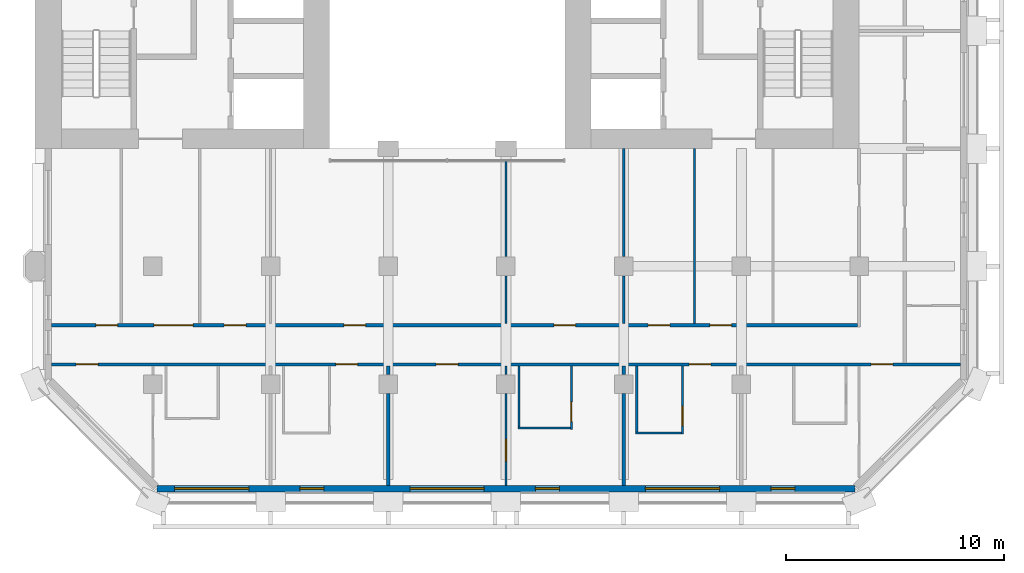
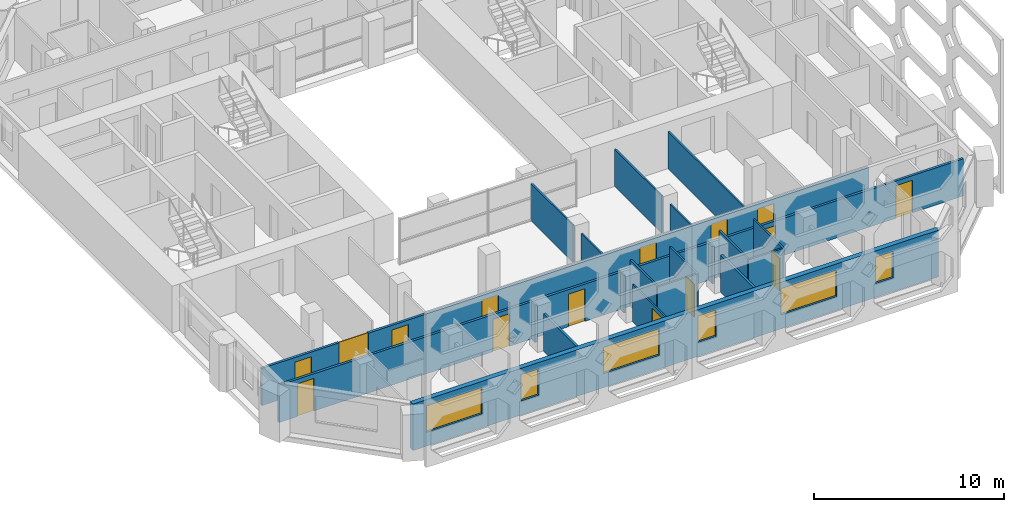
# One storey, part 6 of 14: 20 walls, 15 doors, 6 windows, 21 openings.
"""IFC4 building model written with IfcOpenShell, lengths in metres."""

from ifc_helpers import new_model, si_unit, direction, frame, frame_2d, origin, place, context, subcontext, project, spatial, rectangle, extrude, material, layer, layer_set, type_object, element, fill, save


model = new_model("IFC4")

# Units and contexts
model_context = context("Model", 3, precision=1e-05, world=origin(), true_north=direction((0.0, 1.0)))
body_context = subcontext(model_context, "Body", "Model", "MODEL_VIEW")
ifc_project = project(units=[si_unit("LENGTHUNIT", "METRE"), si_unit("AREAUNIT", "SQUARE_METRE"), si_unit("VOLUMEUNIT", "CUBIC_METRE"), si_unit("PLANEANGLEUNIT", "RADIAN"), si_unit("MASSUNIT", "GRAM", prefix="KILO")], contexts=[model_context])

# Site, building, storey
site_placement = place(None, origin())
site = spatial("IfcSite", under=ifc_project, at=site_placement, CompositionType="ELEMENT")
building_placement = place(site_placement, origin())
building = spatial("IfcBuilding", under=site, at=building_placement, Name="Tabaq Tower and Sports Hall", CompositionType="ELEMENT")
storey_placement = place(building_placement, frame((0.0, 0.0, 166.0)))
storey = spatial("IfcBuildingStorey", under=building, at=storey_placement, Name="L39", CompositionType="ELEMENT", Elevation=166.0)

# Wall, opening, door
ifc_material_1 = material(Name="Gypsum board on steel studs", Category="steel")
ifc_layer_1 = layer(ifc_material_1, 0.10009765625)
ifc_layer_set_1 = layer_set([ifc_layer_1], Name="Partition 100 Gypsum board")
wall_type_1 = type_object("IfcWallType", Name="Partition 100 Gypsum board", PredefinedType="PARTITIONING", material=ifc_layer_set_1)
wall_1_placement = place(storey_placement, frame((30.0, 6.22509765625, 0.0), z_axis=(0.0, 0.0, 1.0), x_axis=(0.0, -1.0, 0.0)))
wall_1 = element("IfcWall", 1, at=wall_1_placement, inside=storey, type_object=wall_type_1, Name="Partition wall L39", PredefinedType="PARTITIONING", context=body_context, shape_type="SweptSolid", body=[
    extrude(rectangle(XDim=2.900146484375, YDim=0.10009765625, at=frame_2d((1.4501953125, 0.0))), origin(), (0.0, 0.0, 1.0), 3.0),
])
opening_1_placement = place(wall_1_placement, frame((1.64990234375, 0.0, 0.0)))
opening_1 = element("IfcOpeningElement", 2, at=opening_1_placement, cuts=wall_1, Name="Opening L39-018", PredefinedType="OPENING", context=body_context, shape_type="SweptSolid", body=[
    extrude(rectangle(XDim=0.89990234375, YDim=2.10009765625, at=frame_2d((0.449951171875, 1.050048828125))), frame((0.0, 0.050048828125, 0.0), z_axis=(0.0, -1.0, 0.0), x_axis=(1.0, 0.0, 0.0)), (0.0, 0.0, 1.0), 0.10009765625),
])
ifc_material_2 = material(Name="Timber leaf in steel frame", Category="steel")
door_type_1 = type_object("IfcDoorType", Name="Internal door 900 left hand", OperationType="SINGLE_SWING_LEFT", PredefinedType="DOOR", material=ifc_material_2)
door_1_placement = place(opening_1_placement, origin())
door_1 = element("IfcDoor", 3, at=door_1_placement, inside=storey, type_object=door_type_1, Name="Internal door L39-018", OperationType="SINGLE_SWING_LEFT", OverallHeight=2.10009765625, OverallWidth=0.89990234375, PredefinedType="DOOR", context=body_context, shape_type="SweptSolid", body=[
    extrude(rectangle(XDim=0.89990234375, YDim=2.10009765625, at=frame_2d((0.449951171875, 1.050048828125))), frame((0.0, 0.02490234375, 0.0), z_axis=(0.0, -1.0, 0.0), x_axis=(1.0, 0.0, 0.0)), (0.0, 0.0, 1.0), 0.050048828125),
])
fill(opening_1, door_1)

# Walls
wall_2_placement = place(storey_placement, frame((29.949951171875, 3.375, 0.0), z_axis=(0.0, 0.0, 1.0), x_axis=(-1.0, 0.0, 0.0)))
element("IfcWall", 4, at=wall_2_placement, inside=storey, type_object=wall_type_1, Name="Partition wall L39", PredefinedType="PARTITIONING", context=body_context, shape_type="SweptSolid", body=[
    extrude(rectangle(XDim=2.39990234375, YDim=0.10009765625, at=frame_2d((1.199951171875, 0.0))), origin(), (0.0, 0.0, 1.0), 3.0),
])
wall_3_placement = place(storey_placement, frame((27.60009765625, 3.425048828125, 0.0), z_axis=(0.0, 0.0, 1.0), x_axis=(0.0, 1.0, 0.0)))
element("IfcWall", 5, at=wall_3_placement, inside=storey, type_object=wall_type_1, Name="Partition wall L39", PredefinedType="PARTITIONING", context=body_context, shape_type="SweptSolid", body=[
    extrude(rectangle(XDim=2.800048828125, YDim=0.10009765625, at=frame_2d((1.39990234375, 0.0))), origin(), (0.0, 0.0, 1.0), 3.0),
])
wall_4_placement = place(storey_placement, frame((27.0, 6.22509765625, 0.0), z_axis=(0.0, 0.0, 1.0), x_axis=(0.0, -1.0, 0.0)))
element("IfcWall", 6, at=wall_4_placement, inside=storey, type_object=wall_type_1, Name="Partition wall L39", PredefinedType="PARTITIONING", context=body_context, shape_type="SweptSolid", body=[
    extrude(rectangle(XDim=0.380126953125, YDim=0.10009765625, at=frame_2d((0.18994140625, 0.0))), origin(), (0.0, 0.0, 1.0), 2.39990234375),
])

# Wall, opening, door
wall_5_placement = place(storey_placement, frame((27.0, 4.955078125, 0.0), z_axis=(0.0, 0.0, 1.0), x_axis=(0.0, -1.0, 0.0)))
wall_5 = element("IfcWall", 7, at=wall_5_placement, inside=storey, type_object=wall_type_1, Name="Partition wall L39", PredefinedType="PARTITIONING", context=body_context, shape_type="SweptSolid", body=[
    extrude(rectangle(XDim=4.2041015625, YDim=0.10009765625, at=frame_2d((2.10205078125, 0.0))), origin(), (0.0, 0.0, 1.0), 2.39990234375),
])
opening_2_placement = place(wall_5_placement, frame((2.087890625, 0.0, 0.0)))
opening_2 = element("IfcOpeningElement", 8, at=opening_2_placement, cuts=wall_5, Name="Opening L39-043", PredefinedType="OPENING", context=body_context, shape_type="SweptSolid", body=[
    extrude(rectangle(XDim=1.0, YDim=2.10009765625, at=frame_2d((0.5, 1.050048828125))), frame((0.0, 0.050048828125, 0.0), z_axis=(0.0, -1.0, 0.0), x_axis=(1.0, 0.0, 0.0)), (0.0, 0.0, 1.0), 0.10009765625),
])
ifc_material_3 = material(Name="Timber leaf in steel frame", Category="steel")
door_type_2 = type_object("IfcDoorType", Name="Internal door 1000 left hand", OperationType="SINGLE_SWING_LEFT", PredefinedType="DOOR", material=ifc_material_3)
door_2_placement = place(opening_2_placement, origin())
door_2 = element("IfcDoor", 9, at=door_2_placement, inside=storey, type_object=door_type_2, Name="Internal door L39-043", OperationType="SINGLE_SWING_LEFT", OverallHeight=2.10009765625, OverallWidth=1.0, PredefinedType="DOOR", context=body_context, shape_type="SweptSolid", body=[
    extrude(rectangle(XDim=1.0, YDim=2.10009765625, at=frame_2d((0.5, 1.050048828125))), frame((0.0, 0.02490234375, 0.0), z_axis=(0.0, -1.0, 0.0), x_axis=(1.0, 0.0, 0.0)), (0.0, 0.0, 1.0), 0.050048828125),
])
fill(opening_2, door_2)

wall_6_placement = place(storey_placement, frame((35.10009765625, 6.22509765625, 0.0), z_axis=(0.0, 0.0, 1.0), x_axis=(0.0, -1.0, 0.0)))
wall_6 = element("IfcWall", 10, at=wall_6_placement, inside=storey, type_object=wall_type_1, Name="Partition wall L39", PredefinedType="PARTITIONING", context=body_context, shape_type="SweptSolid", body=[
    extrude(rectangle(XDim=3.125, YDim=0.10009765625, at=frame_2d((1.5625, 0.0))), origin(), (0.0, 0.0, 1.0), 3.0),
])
opening_3_placement = place(wall_6_placement, frame((1.83740234375, 0.0, 0.0)))
opening_3 = element("IfcOpeningElement", 11, at=opening_3_placement, cuts=wall_6, Name="Opening L39-019", PredefinedType="OPENING", context=body_context, shape_type="SweptSolid", body=[
    extrude(rectangle(XDim=0.89990234375, YDim=2.10009765625, at=frame_2d((0.449951171875, 1.050048828125))), frame((0.0, 0.050048828125, 0.0), z_axis=(0.0, -1.0, 0.0), x_axis=(1.0, 0.0, 0.0)), (0.0, 0.0, 1.0), 0.10009765625),
])
door_3_placement = place(opening_3_placement, origin())
door_3 = element("IfcDoor", 12, at=door_3_placement, inside=storey, type_object=door_type_1, Name="Internal door L39-019", OperationType="SINGLE_SWING_LEFT", OverallHeight=2.10009765625, OverallWidth=0.89990234375, PredefinedType="DOOR", context=body_context, shape_type="SweptSolid", body=[
    extrude(rectangle(XDim=0.89990234375, YDim=2.10009765625, at=frame_2d((0.449951171875, 1.050048828125))), frame((0.0, 0.02490234375, 0.0), z_axis=(0.0, -1.0, 0.0), x_axis=(1.0, 0.0, 0.0)), (0.0, 0.0, 1.0), 0.050048828125),
])
fill(opening_3, door_3)

# Walls
wall_7_placement = place(storey_placement, frame((35.050048828125, 3.14990234375, 0.0), z_axis=(0.0, 0.0, 1.0), x_axis=(-1.0, 0.0, 0.0)))
element("IfcWall", 13, at=wall_7_placement, inside=storey, type_object=wall_type_1, Name="Partition wall L39", PredefinedType="PARTITIONING", context=body_context, shape_type="SweptSolid", body=[
    extrude(rectangle(XDim=2.10009765625, YDim=0.10009765625, at=frame_2d((1.050048828125, 0.0))), origin(), (0.0, 0.0, 1.0), 3.0),
])
wall_8_placement = place(storey_placement, frame((33.0, 3.199951171875, 0.0), z_axis=(0.0, 0.0, 1.0), x_axis=(0.0, 1.0, 0.0)))
element("IfcWall", 14, at=wall_8_placement, inside=storey, type_object=wall_type_1, Name="Partition wall L39", PredefinedType="PARTITIONING", context=body_context, shape_type="SweptSolid", body=[
    extrude(rectangle(XDim=3.025146484375, YDim=0.10009765625, at=frame_2d((1.5126953125, 0.0))), origin(), (0.0, 0.0, 1.0), 3.0),
])
wall_9_placement = place(storey_placement, frame((27.0, 8.175048828125, 0.0), z_axis=(0.0, 0.0, 1.0), x_axis=(0.0, 1.0, 0.0)))
element("IfcWall", 15, at=wall_9_placement, inside=storey, type_object=wall_type_1, Name="Partition wall L39", PredefinedType="PARTITIONING", context=body_context, shape_type="SweptSolid", body=[
    extrude(rectangle(XDim=2.179931640625, YDim=0.10009765625, at=frame_2d((1.08984375, 0.0))), origin(), (0.0, 0.0, 1.0), 2.39990234375),
])
wall_10_placement = place(storey_placement, frame((27.0, 11.2451171875, 0.0), z_axis=(0.0, 0.0, 1.0), x_axis=(0.0, 1.0, 0.0)))
element("IfcWall", 16, at=wall_10_placement, inside=storey, type_object=wall_type_1, Name="Partition wall L39", PredefinedType="PARTITIONING", context=body_context, shape_type="SweptSolid", body=[
    extrude(rectangle(XDim=4.4599609375, YDim=0.10009765625, at=frame_2d((2.22998046875, 0.0))), origin(), (0.0, 0.0, 1.0), 2.39990234375),
])
wall_11_placement = place(storey_placement, frame((32.39990234375, 8.175048828125, 0.0), z_axis=(0.0, 0.0, 1.0), x_axis=(0.0, 1.0, 0.0)))
element("IfcWall", 17, at=wall_11_placement, inside=storey, type_object=wall_type_1, Name="Partition wall L39", PredefinedType="PARTITIONING", context=body_context, shape_type="SweptSolid", body=[
    extrude(rectangle(XDim=2.179931640625, YDim=0.10009765625, at=frame_2d((1.08984375, 0.0))), origin(), (0.0, 0.0, 1.0), 2.39990234375),
])
wall_12_placement = place(storey_placement, frame((32.39990234375, 11.2451171875, 0.0), z_axis=(0.0, 0.0, 1.0), x_axis=(0.0, 1.0, 0.0)))
element("IfcWall", 18, at=wall_12_placement, inside=storey, type_object=wall_type_1, Name="Partition wall L39", PredefinedType="PARTITIONING", context=body_context, shape_type="SweptSolid", body=[
    extrude(rectangle(XDim=4.954833984375, YDim=0.10009765625, at=frame_2d((2.4775390625, 0.0))), origin(), (0.0, 0.0, 1.0), 2.39990234375),
])
wall_13_placement = place(storey_placement, frame((35.64990234375, 16.199951171875, 0.0), z_axis=(0.0, 0.0, 1.0), x_axis=(0.0, -1.0, 0.0)))
element("IfcWall", 19, at=wall_13_placement, inside=storey, type_object=wall_type_1, Name="Partition wall L39", PredefinedType="PARTITIONING", context=body_context, shape_type="SweptSolid", body=[
    extrude(rectangle(XDim=8.02490234375, YDim=0.10009765625, at=frame_2d((4.012451171875, 0.0))), origin(), (0.0, 0.0, 1.0), 2.39990234375),
])
ifc_material_4 = material(Name="Blockwork", Category="masonry")
ifc_layer_2 = layer(ifc_material_4, 0.14990234375)
ifc_layer_set_2 = layer_set([ifc_layer_2], Name="Separating wall 150 Blockwork")
wall_type_2 = type_object("IfcWallType", Name="Separating wall 150 Blockwork", PredefinedType="PARTITIONING", material=ifc_layer_set_2)
wall_14_placement = place(storey_placement, frame((21.60009765625, 0.7509765625, 0.0), z_axis=(0.0, 0.0, 1.0), x_axis=(0.0, 1.0, 0.0)))
element("IfcWall", 20, at=wall_14_placement, inside=storey, type_object=wall_type_2, Name="Separating wall L39", PredefinedType="PARTITIONING", context=body_context, shape_type="SweptSolid", body=[
    extrude(rectangle(XDim=4.2041015625, YDim=0.14990234375, at=frame_2d((2.10205078125, 0.0))), origin(), (0.0, 0.0, 1.0), 2.39990234375),
])
wall_15_placement = place(storey_placement, frame((21.60009765625, 5.844970703125, 0.0), z_axis=(0.0, 0.0, 1.0), x_axis=(0.0, 1.0, 0.0)))
element("IfcWall", 21, at=wall_15_placement, inside=storey, type_object=wall_type_2, Name="Separating wall L39", PredefinedType="PARTITIONING", context=body_context, shape_type="SweptSolid", body=[
    extrude(rectangle(XDim=0.380126953125, YDim=0.14990234375, at=frame_2d((0.18994140625, 0.0))), origin(), (0.0, 0.0, 1.0), 2.39990234375),
])
wall_16_placement = place(storey_placement, frame((32.39990234375, 0.7509765625, 0.0), z_axis=(0.0, 0.0, 1.0), x_axis=(0.0, 1.0, 0.0)))
element("IfcWall", 22, at=wall_16_placement, inside=storey, type_object=wall_type_2, Name="Separating wall L39", PredefinedType="PARTITIONING", context=body_context, shape_type="SweptSolid", body=[
    extrude(rectangle(XDim=4.2041015625, YDim=0.14990234375, at=frame_2d((2.10205078125, 0.0))), origin(), (0.0, 0.0, 1.0), 2.39990234375),
])
wall_17_placement = place(storey_placement, frame((32.39990234375, 5.844970703125, 0.0), z_axis=(0.0, 0.0, 1.0), x_axis=(0.0, 1.0, 0.0)))
element("IfcWall", 23, at=wall_17_placement, inside=storey, type_object=wall_type_2, Name="Separating wall L39", PredefinedType="PARTITIONING", context=body_context, shape_type="SweptSolid", body=[
    extrude(rectangle(XDim=0.380126953125, YDim=0.14990234375, at=frame_2d((0.18994140625, 0.0))), origin(), (0.0, 0.0, 1.0), 2.39990234375),
])

# Wall, openings, doors
wall_18_placement = place(storey_placement, frame((6.15087890625, 6.300048828125, 0.0), z_axis=(0.0, 0.0, 1.0), x_axis=(1.0, 0.0, 0.0)))
wall_18 = element("IfcWall", 24, at=wall_18_placement, inside=storey, type_object=wall_type_2, Name="Separating wall L39", PredefinedType="PARTITIONING", context=body_context, shape_type="SweptSolid", body=[
    extrude(rectangle(XDim=41.6982421875, YDim=0.14990234375, at=frame_2d((20.84912109375, 0.0))), origin(), (0.0, 0.0, 1.0), 2.39990234375),
])
opening_4_placement = place(wall_18_placement, frame((1.132080078125, 0.0, 0.0)))
opening_4 = element("IfcOpeningElement", 25, at=opening_4_placement, cuts=wall_18, Name="Opening L39-041", PredefinedType="OPENING", context=body_context, shape_type="SweptSolid", body=[
    extrude(rectangle(XDim=1.0, YDim=2.10009765625, at=frame_2d((0.5, 1.050048828125))), frame((0.0, 0.074951171875, 0.0), z_axis=(0.0, -1.0, 0.0), x_axis=(1.0, 0.0, 0.0)), (0.0, 0.0, 1.0), 0.14990234375),
])
opening_5_placement = place(wall_18_placement, frame((13.049072265625, 0.0, 0.0)))
opening_5 = element("IfcOpeningElement", 26, at=opening_5_placement, cuts=wall_18, Name="Opening L39-042", PredefinedType="OPENING", context=body_context, shape_type="SweptSolid", body=[
    extrude(rectangle(XDim=1.0, YDim=2.10009765625, at=frame_2d((0.5, 1.050048828125))), frame((0.0, 0.074951171875, 0.0), z_axis=(0.0, -1.0, 0.0), x_axis=(1.0, 0.0, 0.0)), (0.0, 0.0, 1.0), 0.14990234375),
])
opening_6_placement = place(wall_18_placement, frame((17.64892578125, 0.0, 0.0)))
opening_6 = element("IfcOpeningElement", 27, at=opening_6_placement, cuts=wall_18, Name="Opening L39-044", PredefinedType="OPENING", context=body_context, shape_type="SweptSolid", body=[
    extrude(rectangle(XDim=1.0, YDim=2.10009765625, at=frame_2d((0.5, 1.050048828125))), frame((0.0, 0.074951171875, 0.0), z_axis=(0.0, -1.0, 0.0), x_axis=(1.0, 0.0, 0.0)), (0.0, 0.0, 1.0), 0.14990234375),
])
opening_7_placement = place(wall_18_placement, frame((29.2490234375, 0.0, 0.0)))
opening_7 = element("IfcOpeningElement", 28, at=opening_7_placement, cuts=wall_18, Name="Opening L39-045", PredefinedType="OPENING", context=body_context, shape_type="SweptSolid", body=[
    extrude(rectangle(XDim=1.0, YDim=2.10009765625, at=frame_2d((0.5, 1.050048828125))), frame((0.0, 0.074951171875, 0.0), z_axis=(0.0, -1.0, 0.0), x_axis=(1.0, 0.0, 0.0)), (0.0, 0.0, 1.0), 0.14990234375),
])
opening_8_placement = place(wall_18_placement, frame((37.59912109375, 0.0, 0.0)))
opening_8 = element("IfcOpeningElement", 29, at=opening_8_placement, cuts=wall_18, Name="Opening L39-047", PredefinedType="OPENING", context=body_context, shape_type="SweptSolid", body=[
    extrude(rectangle(XDim=1.0, YDim=2.10009765625, at=frame_2d((0.5, 1.050048828125))), frame((0.0, 0.074951171875, 0.0), z_axis=(0.0, -1.0, 0.0), x_axis=(1.0, 0.0, 0.0)), (0.0, 0.0, 1.0), 0.14990234375),
])
ifc_material_5 = material(Name="Steel fire door", Category="steel")
door_type_3 = type_object("IfcDoorType", Name="Entrance door 1000 left hand", OperationType="SINGLE_SWING_LEFT", PredefinedType="DOOR", material=ifc_material_5)
door_4_placement = place(opening_4_placement, origin())
door_4 = element("IfcDoor", 30, at=door_4_placement, inside=storey, type_object=door_type_3, Name="Entrance door L39-041", OperationType="SINGLE_SWING_LEFT", OverallHeight=2.10009765625, OverallWidth=1.0, PredefinedType="DOOR", context=body_context, shape_type="SweptSolid", body=[
    extrude(rectangle(XDim=1.0, YDim=2.10009765625, at=frame_2d((0.5, 1.050048828125))), frame((0.0, 0.02490234375, 0.0), z_axis=(0.0, -1.0, 0.0), x_axis=(1.0, 0.0, 0.0)), (0.0, 0.0, 1.0), 0.050048828125),
])
fill(opening_4, door_4)
door_5_placement = place(opening_5_placement, origin())
door_5 = element("IfcDoor", 31, at=door_5_placement, inside=storey, type_object=door_type_3, Name="Entrance door L39-042", OperationType="SINGLE_SWING_LEFT", OverallHeight=2.10009765625, OverallWidth=1.0, PredefinedType="DOOR", context=body_context, shape_type="SweptSolid", body=[
    extrude(rectangle(XDim=1.0, YDim=2.10009765625, at=frame_2d((0.5, 1.050048828125))), frame((0.0, 0.02490234375, 0.0), z_axis=(0.0, -1.0, 0.0), x_axis=(1.0, 0.0, 0.0)), (0.0, 0.0, 1.0), 0.050048828125),
])
fill(opening_5, door_5)
door_6_placement = place(opening_8_placement, origin())
door_6 = element("IfcDoor", 32, at=door_6_placement, inside=storey, type_object=door_type_3, Name="Entrance door L39-047", OperationType="SINGLE_SWING_LEFT", OverallHeight=2.10009765625, OverallWidth=1.0, PredefinedType="DOOR", context=body_context, shape_type="SweptSolid", body=[
    extrude(rectangle(XDim=1.0, YDim=2.10009765625, at=frame_2d((0.5, 1.050048828125))), frame((0.0, 0.02490234375, 0.0), z_axis=(0.0, -1.0, 0.0), x_axis=(1.0, 0.0, 0.0)), (0.0, 0.0, 1.0), 0.050048828125),
])
fill(opening_8, door_6)
ifc_material_6 = material(Name="Steel fire door", Category="steel")
door_type_4 = type_object("IfcDoorType", Name="Entrance door 1000 right hand", OperationType="SINGLE_SWING_RIGHT", PredefinedType="DOOR", material=ifc_material_6)
door_7_placement = place(opening_6_placement, origin())
door_7 = element("IfcDoor", 33, at=door_7_placement, inside=storey, type_object=door_type_4, Name="Entrance door L39-044", OperationType="SINGLE_SWING_RIGHT", OverallHeight=2.10009765625, OverallWidth=1.0, PredefinedType="DOOR", context=body_context, shape_type="SweptSolid", body=[
    extrude(rectangle(XDim=1.0, YDim=2.10009765625, at=frame_2d((0.5, 1.050048828125))), frame((0.0, 0.02490234375, 0.0), z_axis=(0.0, -1.0, 0.0), x_axis=(1.0, 0.0, 0.0)), (0.0, 0.0, 1.0), 0.050048828125),
])
fill(opening_6, door_7)
door_8_placement = place(opening_7_placement, origin())
door_8 = element("IfcDoor", 34, at=door_8_placement, inside=storey, type_object=door_type_4, Name="Entrance door L39-045", OperationType="SINGLE_SWING_RIGHT", OverallHeight=2.10009765625, OverallWidth=1.0, PredefinedType="DOOR", context=body_context, shape_type="SweptSolid", body=[
    extrude(rectangle(XDim=1.0, YDim=2.10009765625, at=frame_2d((0.5, 1.050048828125))), frame((0.0, 0.02490234375, 0.0), z_axis=(0.0, -1.0, 0.0), x_axis=(1.0, 0.0, 0.0)), (0.0, 0.0, 1.0), 0.050048828125),
])
fill(opening_7, door_8)

wall_19_placement = place(storey_placement, frame((6.15087890625, 8.10009765625, 0.0), z_axis=(0.0, 0.0, 1.0), x_axis=(1.0, 0.0, 0.0)))
wall_19 = element("IfcWall", 35, at=wall_19_placement, inside=storey, type_object=wall_type_2, Name="Separating wall L39", PredefinedType="PARTITIONING", context=body_context, shape_type="SweptSolid", body=[
    extrude(rectangle(XDim=36.97412109375, YDim=0.14990234375, at=frame_2d((18.487060546875, 0.0))), origin(), (0.0, 0.0, 1.0), 2.39990234375),
])
opening_9_placement = place(wall_19_placement, frame((13.416015625, 0.0, 0.0)))
opening_9 = element("IfcOpeningElement", 36, at=opening_9_placement, cuts=wall_19, Name="Opening L39-021", PredefinedType="OPENING", context=body_context, shape_type="SweptSolid", body=[
    extrude(rectangle(XDim=1.0, YDim=2.10009765625, at=frame_2d((0.5, 1.050048828125))), frame((0.0, 0.074951171875, 0.0), z_axis=(0.0, -1.0, 0.0), x_axis=(1.0, 0.0, 0.0)), (0.0, 0.0, 1.0), 0.14990234375),
])
opening_10_placement = place(wall_19_placement, frame((23.049072265625, 0.0, 0.0)))
opening_10 = element("IfcOpeningElement", 37, at=opening_10_placement, cuts=wall_19, Name="Opening L39-022", PredefinedType="OPENING", context=body_context, shape_type="SweptSolid", body=[
    extrude(rectangle(XDim=1.0, YDim=2.10009765625, at=frame_2d((0.5, 1.050048828125))), frame((0.0, 0.074951171875, 0.0), z_axis=(0.0, -1.0, 0.0), x_axis=(1.0, 0.0, 0.0)), (0.0, 0.0, 1.0), 0.14990234375),
])
opening_11_placement = place(wall_19_placement, frame((2.029052734375, 0.0, 0.0)))
opening_11 = element("IfcOpeningElement", 38, at=opening_11_placement, cuts=wall_19, Name="Opening L39-024", PredefinedType="OPENING", context=body_context, shape_type="SweptSolid", body=[
    extrude(rectangle(XDim=1.0, YDim=2.10009765625, at=frame_2d((0.5, 1.050048828125))), frame((0.0, 0.074951171875, 0.0), z_axis=(0.0, -1.0, 0.0), x_axis=(1.0, 0.0, 0.0)), (0.0, 0.0, 1.0), 0.14990234375),
])
opening_12_placement = place(wall_19_placement, frame((27.3740234375, 0.0, 0.0)))
opening_12 = element("IfcOpeningElement", 39, at=opening_12_placement, cuts=wall_19, Name="Opening L39-025", PredefinedType="OPENING", context=body_context, shape_type="SweptSolid", body=[
    extrude(rectangle(XDim=1.0, YDim=2.10009765625, at=frame_2d((0.5, 1.050048828125))), frame((0.0, 0.074951171875, 0.0), z_axis=(0.0, -1.0, 0.0), x_axis=(1.0, 0.0, 0.0)), (0.0, 0.0, 1.0), 0.14990234375),
])
opening_13_placement = place(wall_19_placement, frame((7.924072265625, 0.0, 0.0)))
opening_13 = element("IfcOpeningElement", 40, at=opening_13_placement, cuts=wall_19, Name="Opening L39-027", PredefinedType="OPENING", context=body_context, shape_type="SweptSolid", body=[
    extrude(rectangle(XDim=1.0, YDim=2.10009765625, at=frame_2d((0.5, 1.050048828125))), frame((0.0, 0.074951171875, 0.0), z_axis=(0.0, -1.0, 0.0), x_axis=(1.0, 0.0, 0.0)), (0.0, 0.0, 1.0), 0.14990234375),
])
opening_14_placement = place(wall_19_placement, frame((4.698974609375, 0.0, 0.0)))
opening_14 = element("IfcOpeningElement", 41, at=opening_14_placement, cuts=wall_19, Name="Opening L39-048", PredefinedType="OPENING", context=body_context, shape_type="SweptSolid", body=[
    extrude(rectangle(XDim=1.800048828125, YDim=2.39990234375, at=frame_2d((0.89990234375, 1.199951171875))), frame((0.0, 0.074951171875, 0.0), z_axis=(0.0, -1.0, 0.0), x_axis=(1.0, 0.0, 0.0)), (0.0, 0.0, 1.0), 0.14990234375),
])
opening_15_placement = place(wall_19_placement, frame((30.198974609375, 0.0, 0.0)))
opening_15 = element("IfcOpeningElement", 42, at=opening_15_placement, cuts=wall_19, Name="Opening L39-049", PredefinedType="OPENING", context=body_context, shape_type="SweptSolid", body=[
    extrude(rectangle(XDim=1.0, YDim=2.10009765625, at=frame_2d((0.5, 1.050048828125))), frame((0.0, 0.074951171875, 0.0), z_axis=(0.0, -1.0, 0.0), x_axis=(1.0, 0.0, 0.0)), (0.0, 0.0, 1.0), 0.14990234375),
])
door_9_placement = place(opening_9_placement, origin())
door_9 = element("IfcDoor", 43, at=door_9_placement, inside=storey, type_object=door_type_2, Name="Internal door L39-021", OperationType="SINGLE_SWING_LEFT", OverallHeight=2.10009765625, OverallWidth=1.0, PredefinedType="DOOR", context=body_context, shape_type="SweptSolid", body=[
    extrude(rectangle(XDim=1.0, YDim=2.10009765625, at=frame_2d((0.5, 1.050048828125))), frame((0.0, 0.02490234375, 0.0), z_axis=(0.0, -1.0, 0.0), x_axis=(1.0, 0.0, 0.0)), (0.0, 0.0, 1.0), 0.050048828125),
])
fill(opening_9, door_9)
door_10_placement = place(opening_12_placement, origin())
door_10 = element("IfcDoor", 44, at=door_10_placement, inside=storey, type_object=door_type_2, Name="Internal door L39-025", OperationType="SINGLE_SWING_LEFT", OverallHeight=2.10009765625, OverallWidth=1.0, PredefinedType="DOOR", context=body_context, shape_type="SweptSolid", body=[
    extrude(rectangle(XDim=1.0, YDim=2.10009765625, at=frame_2d((0.5, 1.050048828125))), frame((0.0, 0.02490234375, 0.0), z_axis=(0.0, -1.0, 0.0), x_axis=(1.0, 0.0, 0.0)), (0.0, 0.0, 1.0), 0.050048828125),
])
fill(opening_12, door_10)
door_11_placement = place(opening_13_placement, origin())
door_11 = element("IfcDoor", 45, at=door_11_placement, inside=storey, type_object=door_type_2, Name="Internal door L39-027", OperationType="SINGLE_SWING_LEFT", OverallHeight=2.10009765625, OverallWidth=1.0, PredefinedType="DOOR", context=body_context, shape_type="SweptSolid", body=[
    extrude(rectangle(XDim=1.0, YDim=2.10009765625, at=frame_2d((0.5, 1.050048828125))), frame((0.0, 0.02490234375, 0.0), z_axis=(0.0, -1.0, 0.0), x_axis=(1.0, 0.0, 0.0)), (0.0, 0.0, 1.0), 0.050048828125),
])
fill(opening_13, door_11)
ifc_material_7 = material(Name="Timber leaf in steel frame", Category="steel")
door_type_5 = type_object("IfcDoorType", Name="Internal door 1000 right hand", OperationType="SINGLE_SWING_RIGHT", PredefinedType="DOOR", material=ifc_material_7)
door_12_placement = place(opening_10_placement, origin())
door_12 = element("IfcDoor", 46, at=door_12_placement, inside=storey, type_object=door_type_5, Name="Internal door L39-022", OperationType="SINGLE_SWING_RIGHT", OverallHeight=2.10009765625, OverallWidth=1.0, PredefinedType="DOOR", context=body_context, shape_type="SweptSolid", body=[
    extrude(rectangle(XDim=1.0, YDim=2.10009765625, at=frame_2d((0.5, 1.050048828125))), frame((0.0, 0.02490234375, 0.0), z_axis=(0.0, -1.0, 0.0), x_axis=(1.0, 0.0, 0.0)), (0.0, 0.0, 1.0), 0.050048828125),
])
fill(opening_10, door_12)
door_13_placement = place(opening_11_placement, origin())
door_13 = element("IfcDoor", 47, at=door_13_placement, inside=storey, type_object=door_type_5, Name="Internal door L39-024", OperationType="SINGLE_SWING_RIGHT", OverallHeight=2.10009765625, OverallWidth=1.0, PredefinedType="DOOR", context=body_context, shape_type="SweptSolid", body=[
    extrude(rectangle(XDim=1.0, YDim=2.10009765625, at=frame_2d((0.5, 1.050048828125))), frame((0.0, 0.02490234375, 0.0), z_axis=(0.0, -1.0, 0.0), x_axis=(1.0, 0.0, 0.0)), (0.0, 0.0, 1.0), 0.050048828125),
])
fill(opening_11, door_13)
door_14_placement = place(opening_15_placement, origin())
door_14 = element("IfcDoor", 48, at=door_14_placement, inside=storey, type_object=door_type_5, Name="Internal door L39-049", OperationType="SINGLE_SWING_RIGHT", OverallHeight=2.10009765625, OverallWidth=1.0, PredefinedType="DOOR", context=body_context, shape_type="SweptSolid", body=[
    extrude(rectangle(XDim=1.0, YDim=2.10009765625, at=frame_2d((0.5, 1.050048828125))), frame((0.0, 0.02490234375, 0.0), z_axis=(0.0, -1.0, 0.0), x_axis=(1.0, 0.0, 0.0)), (0.0, 0.0, 1.0), 0.050048828125),
])
fill(opening_15, door_14)
ifc_material_8 = material(Name="Timber leaf in steel frame", Category="steel")
door_type_6 = type_object("IfcDoorType", Name="Internal door 1800", OperationType="DOUBLE_DOOR_SINGLE_SWING", PredefinedType="DOOR", material=ifc_material_8)
door_15_placement = place(opening_14_placement, origin())
door_15 = element("IfcDoor", 49, at=door_15_placement, inside=storey, type_object=door_type_6, Name="Internal door L39-048", OperationType="DOUBLE_DOOR_SINGLE_SWING", OverallHeight=2.39990234375, OverallWidth=1.800048828125, PredefinedType="DOOR", context=body_context, shape_type="SweptSolid", body=[
    extrude(rectangle(XDim=1.800048828125, YDim=2.39990234375, at=frame_2d((0.89990234375, 1.199951171875))), frame((0.0, 0.02490234375, 0.0), z_axis=(0.0, -1.0, 0.0), x_axis=(1.0, 0.0, 0.0)), (0.0, 0.0, 1.0), 0.050048828125),
])
fill(opening_14, door_15)

# Wall, openings, windows
ifc_material_9 = material(Name="White precast concrete C60/75", Category="concrete")
ifc_layer_3 = layer(ifc_material_9, 0.300048828125)
ifc_layer_set_3 = layer_set([ifc_layer_3], Name="White precast concrete C60/75 external wall 300")
wall_type_3 = type_object("IfcWallType", Name="White precast concrete C60/75 external wall 300", PredefinedType="SOLIDWALL", material=ifc_layer_set_3)
wall_20_placement = place(storey_placement, frame((10.986328125, 0.60009765625, 0.0), z_axis=(0.0, 0.0, 1.0), x_axis=(1.0, 0.0, 0.0)))
wall_20 = element("IfcWall", 50, at=wall_20_placement, inside=storey, type_object=wall_type_3, Name="External Wall L39 S", PredefinedType="SOLIDWALL", context=body_context, shape_type="SweptSolid", body=[
    extrude(rectangle(XDim=32.02734375, YDim=0.300048828125, at=frame_2d((16.013671875, 0.0))), origin(), (0.0, 0.0, 1.0), 3.0),
])
opening_16_placement = place(wall_20_placement, frame((0.813720703125, 0.0, 0.89990234375)))
opening_16 = element("IfcOpeningElement", 51, at=opening_16_placement, cuts=wall_20, Name="Opening W1A", PredefinedType="OPENING", context=body_context, shape_type="SweptSolid", body=[
    extrude(rectangle(XDim=3.39990234375, YDim=1.699951171875, at=frame_2d((1.699951171875, 0.85009765625))), frame((0.0, 0.16015625, 0.0), z_axis=(0.0, -1.0, 0.0), x_axis=(1.0, 0.0, 0.0)), (0.0, 0.0, 1.0), 0.320068359375),
])
opening_17_placement = place(wall_20_placement, frame((6.563720703125, 0.0, 0.89990234375)))
opening_17 = element("IfcOpeningElement", 52, at=opening_17_placement, cuts=wall_20, Name="Opening W1B", PredefinedType="OPENING", context=body_context, shape_type="SweptSolid", body=[
    extrude(rectangle(XDim=1.10009765625, YDim=1.699951171875, at=frame_2d((0.550048828125, 0.85009765625))), frame((0.0, 0.16015625, 0.0), z_axis=(0.0, -1.0, 0.0), x_axis=(1.0, 0.0, 0.0)), (0.0, 0.0, 1.0), 0.320068359375),
])
opening_18_placement = place(wall_20_placement, frame((11.613525390625, 0.0, 0.89990234375)))
opening_18 = element("IfcOpeningElement", 53, at=opening_18_placement, cuts=wall_20, Name="Opening W1A", PredefinedType="OPENING", context=body_context, shape_type="SweptSolid", body=[
    extrude(rectangle(XDim=3.39990234375, YDim=1.699951171875, at=frame_2d((1.699951171875, 0.85009765625))), frame((0.0, 0.16015625, 0.0), z_axis=(0.0, -1.0, 0.0), x_axis=(1.0, 0.0, 0.0)), (0.0, 0.0, 1.0), 0.320068359375),
])
opening_19_placement = place(wall_20_placement, frame((17.363525390625, 0.0, 0.89990234375)))
opening_19 = element("IfcOpeningElement", 54, at=opening_19_placement, cuts=wall_20, Name="Opening W1B", PredefinedType="OPENING", context=body_context, shape_type="SweptSolid", body=[
    extrude(rectangle(XDim=1.10009765625, YDim=1.699951171875, at=frame_2d((0.550048828125, 0.85009765625))), frame((0.0, 0.16015625, 0.0), z_axis=(0.0, -1.0, 0.0), x_axis=(1.0, 0.0, 0.0)), (0.0, 0.0, 1.0), 0.320068359375),
])
opening_20_placement = place(wall_20_placement, frame((22.41357421875, 0.0, 0.89990234375)))
opening_20 = element("IfcOpeningElement", 55, at=opening_20_placement, cuts=wall_20, Name="Opening W1A", PredefinedType="OPENING", context=body_context, shape_type="SweptSolid", body=[
    extrude(rectangle(XDim=3.39990234375, YDim=1.699951171875, at=frame_2d((1.699951171875, 0.85009765625))), frame((0.0, 0.16015625, 0.0), z_axis=(0.0, -1.0, 0.0), x_axis=(1.0, 0.0, 0.0)), (0.0, 0.0, 1.0), 0.320068359375),
])
opening_21_placement = place(wall_20_placement, frame((28.16357421875, 0.0, 0.89990234375)))
opening_21 = element("IfcOpeningElement", 56, at=opening_21_placement, cuts=wall_20, Name="Opening W1B", PredefinedType="OPENING", context=body_context, shape_type="SweptSolid", body=[
    extrude(rectangle(XDim=1.10009765625, YDim=1.699951171875, at=frame_2d((0.550048828125, 0.85009765625))), frame((0.0, 0.16015625, 0.0), z_axis=(0.0, -1.0, 0.0), x_axis=(1.0, 0.0, 0.0)), (0.0, 0.0, 1.0), 0.320068359375),
])
ifc_material_10 = material(Name="Aluminium framed clear glazing", Category="aluminium")
window_type_1 = type_object("IfcWindowType", Name="Window W1A", PartitioningType="SINGLE_PANEL", PredefinedType="WINDOW", material=ifc_material_10)
window_1_placement = place(opening_16_placement, origin())
window_1 = element("IfcWindow", 57, at=window_1_placement, inside=storey, type_object=window_type_1, Name="Window W1A L39", OverallHeight=1.699951171875, OverallWidth=3.39990234375, PartitioningType="SINGLE_PANEL", PredefinedType="WINDOW", context=body_context, shape_type="SweptSolid", body=[
    extrude(rectangle(XDim=3.39990234375, YDim=1.699951171875, at=frame_2d((1.699951171875, 0.85009765625))), frame((0.0, 0.030029296875, 0.0), z_axis=(0.0, -1.0, 0.0), x_axis=(1.0, 0.0, 0.0)), (0.0, 0.0, 1.0), 0.06005859375),
])
fill(opening_16, window_1)
window_2_placement = place(opening_18_placement, origin())
window_2 = element("IfcWindow", 58, at=window_2_placement, inside=storey, type_object=window_type_1, Name="Window W1A L39", OverallHeight=1.699951171875, OverallWidth=3.39990234375, PartitioningType="SINGLE_PANEL", PredefinedType="WINDOW", context=body_context, shape_type="SweptSolid", body=[
    extrude(rectangle(XDim=3.39990234375, YDim=1.699951171875, at=frame_2d((1.699951171875, 0.85009765625))), frame((0.0, 0.030029296875, 0.0), z_axis=(0.0, -1.0, 0.0), x_axis=(1.0, 0.0, 0.0)), (0.0, 0.0, 1.0), 0.06005859375),
])
fill(opening_18, window_2)
window_3_placement = place(opening_20_placement, origin())
window_3 = element("IfcWindow", 59, at=window_3_placement, inside=storey, type_object=window_type_1, Name="Window W1A L39", OverallHeight=1.699951171875, OverallWidth=3.39990234375, PartitioningType="SINGLE_PANEL", PredefinedType="WINDOW", context=body_context, shape_type="SweptSolid", body=[
    extrude(rectangle(XDim=3.39990234375, YDim=1.699951171875, at=frame_2d((1.699951171875, 0.85009765625))), frame((0.0, 0.030029296875, 0.0), z_axis=(0.0, -1.0, 0.0), x_axis=(1.0, 0.0, 0.0)), (0.0, 0.0, 1.0), 0.06005859375),
])
fill(opening_20, window_3)
ifc_material_11 = material(Name="Aluminium framed clear glazing", Category="aluminium")
window_type_2 = type_object("IfcWindowType", Name="Window W1B", PartitioningType="SINGLE_PANEL", PredefinedType="WINDOW", material=ifc_material_11)
window_4_placement = place(opening_17_placement, origin())
window_4 = element("IfcWindow", 60, at=window_4_placement, inside=storey, type_object=window_type_2, Name="Window W1B L39", OverallHeight=1.699951171875, OverallWidth=1.10009765625, PartitioningType="SINGLE_PANEL", PredefinedType="WINDOW", context=body_context, shape_type="SweptSolid", body=[
    extrude(rectangle(XDim=1.10009765625, YDim=1.699951171875, at=frame_2d((0.550048828125, 0.85009765625))), frame((0.0, 0.030029296875, 0.0), z_axis=(0.0, -1.0, 0.0), x_axis=(1.0, 0.0, 0.0)), (0.0, 0.0, 1.0), 0.06005859375),
])
fill(opening_17, window_4)
window_5_placement = place(opening_19_placement, origin())
window_5 = element("IfcWindow", 61, at=window_5_placement, inside=storey, type_object=window_type_2, Name="Window W1B L39", OverallHeight=1.699951171875, OverallWidth=1.10009765625, PartitioningType="SINGLE_PANEL", PredefinedType="WINDOW", context=body_context, shape_type="SweptSolid", body=[
    extrude(rectangle(XDim=1.10009765625, YDim=1.699951171875, at=frame_2d((0.550048828125, 0.85009765625))), frame((0.0, 0.030029296875, 0.0), z_axis=(0.0, -1.0, 0.0), x_axis=(1.0, 0.0, 0.0)), (0.0, 0.0, 1.0), 0.06005859375),
])
fill(opening_19, window_5)
window_6_placement = place(opening_21_placement, origin())
window_6 = element("IfcWindow", 62, at=window_6_placement, inside=storey, type_object=window_type_2, Name="Window W1B L39", OverallHeight=1.699951171875, OverallWidth=1.10009765625, PartitioningType="SINGLE_PANEL", PredefinedType="WINDOW", context=body_context, shape_type="SweptSolid", body=[
    extrude(rectangle(XDim=1.10009765625, YDim=1.699951171875, at=frame_2d((0.550048828125, 0.85009765625))), frame((0.0, 0.030029296875, 0.0), z_axis=(0.0, -1.0, 0.0), x_axis=(1.0, 0.0, 0.0)), (0.0, 0.0, 1.0), 0.06005859375),
])
fill(opening_21, window_6)

save(model, "model.ifc")
